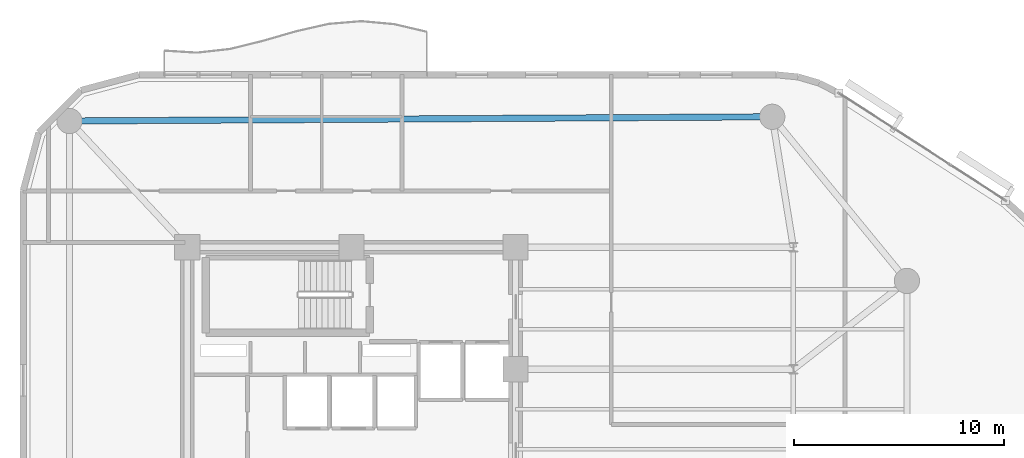
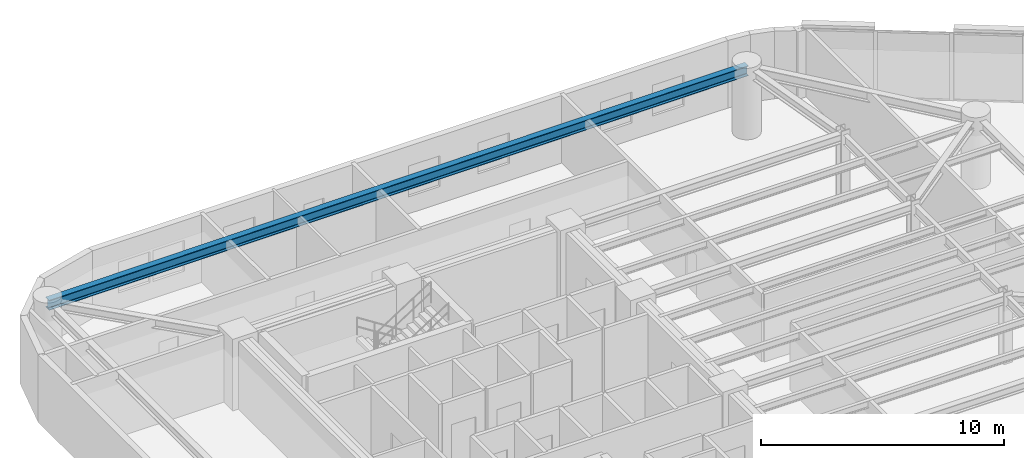
# One storey, part 5 of 12: 1 beam.
"""IFC4 building model written with IfcOpenShell, lengths in metres."""

from ifc_helpers import new_model, si_unit, direction, frame, origin, origin_2d, place, context, subcontext, project, spatial, i_section, extrude, material, material_profile, profile_set, type_object, element, save


model = new_model("IFC4")

# Units and contexts
model_context = context("Model", 3, precision=1e-05, world=origin(), true_north=direction((0.0, 1.0)))
body_context = subcontext(model_context, "Body", "Model", "MODEL_VIEW")
ifc_project = project(units=[si_unit("LENGTHUNIT", "METRE"), si_unit("AREAUNIT", "SQUARE_METRE"), si_unit("VOLUMEUNIT", "CUBIC_METRE"), si_unit("PLANEANGLEUNIT", "RADIAN"), si_unit("MASSUNIT", "GRAM", prefix="KILO")], contexts=[model_context])

# Site, building, storey
site_placement = place(None, origin())
site = spatial("IfcSite", under=ifc_project, at=site_placement, CompositionType="ELEMENT")
building_placement = place(site_placement, origin())
building = spatial("IfcBuilding", under=site, at=building_placement, Name="An Khanh Terracotta Commons", CompositionType="ELEMENT")
storey_placement = place(building_placement, frame((0.0, 0.0, 161.800048828125)))
storey = spatial("IfcBuildingStorey", under=building, at=storey_placement, Name="L42", CompositionType="ELEMENT", Elevation=161.800048828125)

# Beam
ifc_material = material(Name="Steel S355J2", Category="steel")
ifc_material_profile = material_profile(ifc_material, i_section(OverallWidth=0.300048828125, OverallDepth=0.5, WebThickness=0.014404296875, FlangeThickness=0.028076171875, FilletRadius=0.027099609375, at=origin_2d()), Name="HEB500")
ifc_profile_set = profile_set([ifc_material_profile], Name="Steel S355J2")
beam_type = type_object("IfcBeamType", Name="BM-HEB500", PredefinedType="BEAM", material=ifc_profile_set)
beam_placement = place(storey_placement, frame((49.39990234375, 39.800048828125, 3.14990234375), z_axis=(-0.999982080914, -0.005986472262, 0.0), x_axis=(0.005986472262, -0.999982080914, 0.0)))
element("IfcBeam", 1, at=beam_placement, inside=storey, type_object=beam_type, Name="L42 Perimeter Ring Spandrel 5", PredefinedType="BEAM", context=body_context, shape_type="SweptSolid", body=[
    extrude(i_section(OverallWidth=0.300048828125, OverallDepth=0.5, WebThickness=0.014404296875, FlangeThickness=0.028076171875, FilletRadius=0.027099609375, at=origin_2d()), origin(), (0.0, 0.0, 1.0), 33.400390625),
])

save(model, "model.ifc")
